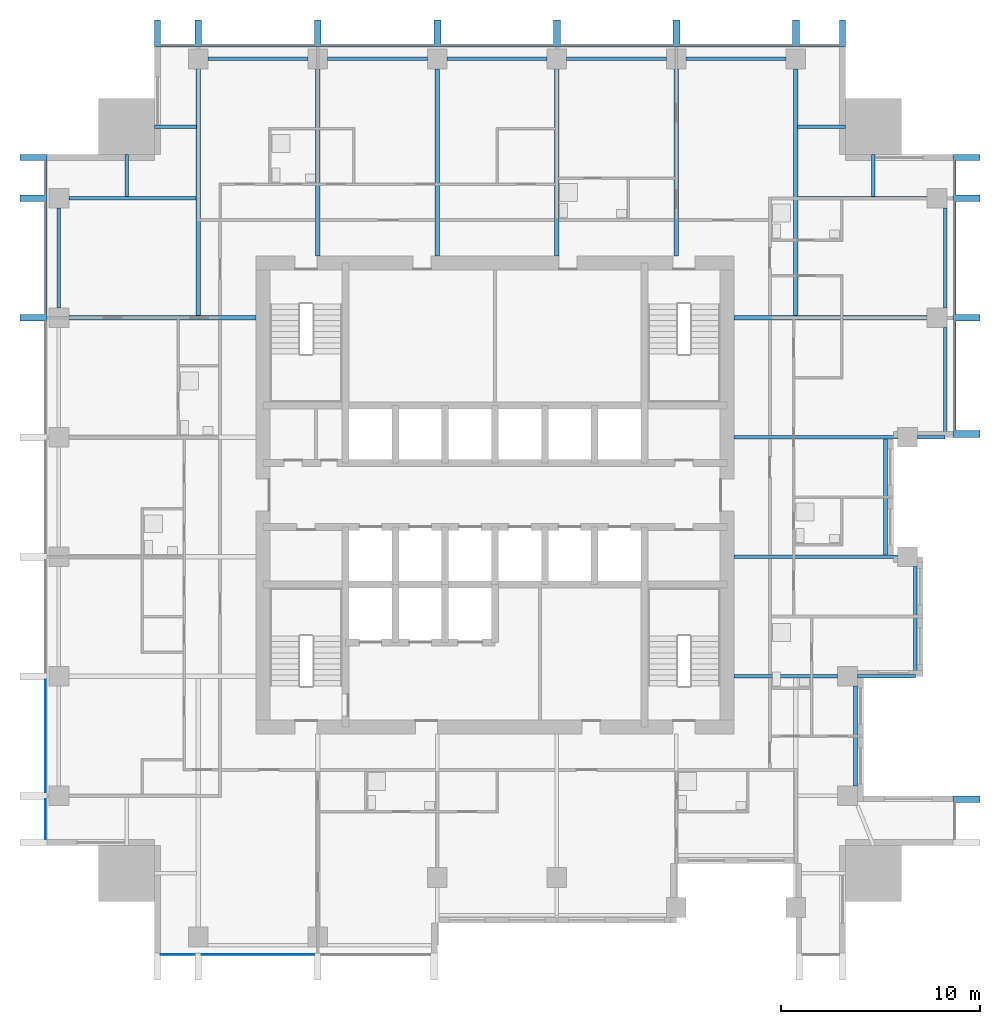
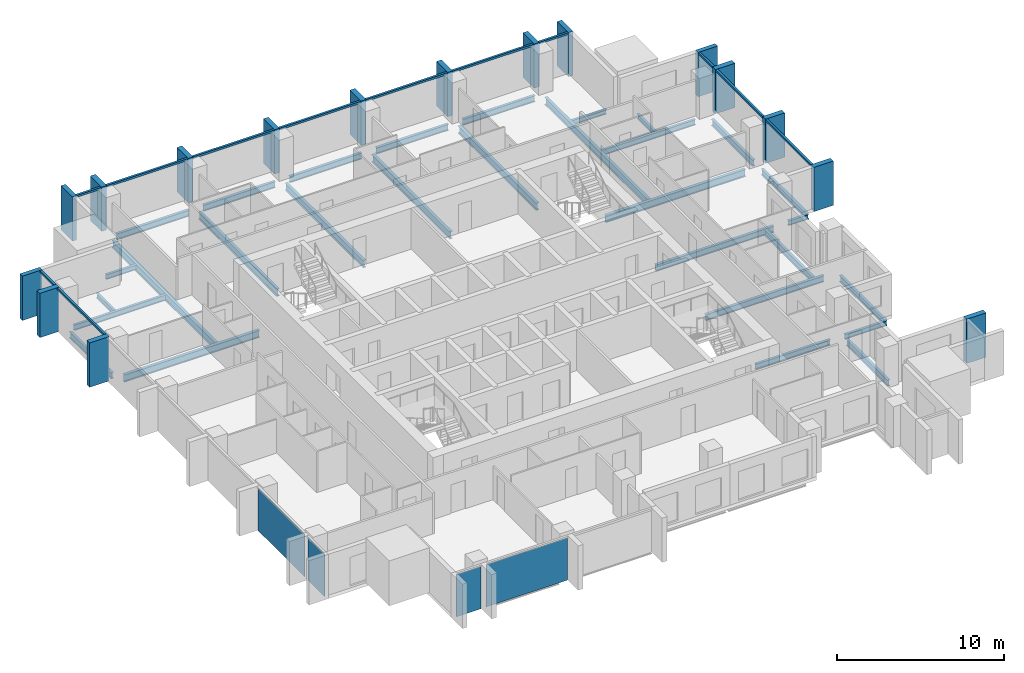
# One storey, part 2 of 10: 30 beams, 28 members, 4 plates, 5 elements without a shape of their own.
"""IFC4 building model written with IfcOpenShell, lengths in metres."""

from ifc_helpers import new_model, si_unit, direction, frame, origin, origin_2d, place, context, subcontext, project, spatial, rectangle, i_section, extrude, material, layer, layer_set, material_profile, profile_set, type_object, element, aggregate, save


model = new_model("IFC4")

# Units and contexts
model_context = context("Model", 3, precision=1e-05, world=origin(), true_north=direction((0.0, 1.0)))
body_context = subcontext(model_context, "Body", "Model", "MODEL_VIEW")
ifc_project = project(units=[si_unit("LENGTHUNIT", "METRE"), si_unit("AREAUNIT", "SQUARE_METRE"), si_unit("VOLUMEUNIT", "CUBIC_METRE"), si_unit("PLANEANGLEUNIT", "RADIAN"), si_unit("MASSUNIT", "GRAM", prefix="KILO")], contexts=[model_context])

# Site, building, storey
site_placement = place(None, origin())
site = spatial("IfcSite", under=ifc_project, at=site_placement, CompositionType="ELEMENT")
building_placement = place(site_placement, origin())
building = spatial("IfcBuilding", under=site, at=building_placement, Name="Amberfall Residences", CompositionType="ELEMENT")
storey_placement = place(building_placement, frame((0.0, 0.0, 147.10009765625)))
storey = spatial("IfcBuildingStorey", under=building, at=storey_placement, Name="L39", CompositionType="ELEMENT", Elevation=147.10009765625)

# Curtain wall, members
ifc_material_1 = material(Name="Bronze anodised aluminium and glass", Category="aluminium")
curtain_wall_type = type_object("IfcCurtainWallType", Name="Curtain wall CW1 tower unit", PredefinedType="USERDEFINED", material=ifc_material_1)
curtain_wall_1_placement = place(storey_placement, origin())
curtain_wall_1 = element("IfcCurtainWall", 1, at=curtain_wall_1_placement, inside=storey, type_object=curtain_wall_type, Name="Curtain wall L39 E E9", ObjectType="UNITISED CURTAIN WALL", PredefinedType="USERDEFINED")
ifc_material_2 = material(Name="Bronze anodised aluminium", Category="aluminium")
ifc_material_profile_1 = material_profile(ifc_material_2, rectangle(XDim=0.14990234375, YDim=0.14990234375, at=origin_2d()), Name="CW1 transom 150 x 150 bronze")
ifc_profile_set_1 = profile_set([ifc_material_profile_1], Name="Bronze anodised aluminium")
member_type_1 = type_object("IfcMemberType", Name="CW1 transom 150 x 150 bronze", PredefinedType="USERDEFINED", material=ifc_profile_set_1)
member_1_placement = place(storey_placement, frame((97.574951171875, 48.75, 2.9248046875), z_axis=(0.0, 1.0, 0.0), x_axis=(-1.0, 0.0, 0.0)))
member_1 = element("IfcMember", 2, at=member_1_placement, type_object=member_type_1, Name="CW1 transom 1.1", ObjectType="TRANSOM", PredefinedType="USERDEFINED", context=body_context, shape_type="SweptSolid", body=[
    extrude(rectangle(XDim=0.14990234375, YDim=0.14990234375, at=origin_2d()), origin(), (0.0, 0.0, 1.0), 5.47509765625),
])
member_2_placement = place(storey_placement, frame((97.574951171875, 54.574951171875, 2.9248046875), z_axis=(0.0, 1.0, 0.0), x_axis=(-1.0, 0.0, 0.0)))
member_2 = element("IfcMember", 3, at=member_2_placement, type_object=member_type_1, Name="CW1 transom 2.1", ObjectType="TRANSOM", PredefinedType="USERDEFINED", context=body_context, shape_type="SweptSolid", body=[
    extrude(rectangle(XDim=0.14990234375, YDim=0.14990234375, at=origin_2d()), origin(), (0.0, 0.0, 1.0), 5.650146484375),
])
member_3_placement = place(storey_placement, frame((97.574951171875, 60.574951171875, 2.9248046875), z_axis=(0.0, 1.0, 0.0), x_axis=(-1.0, 0.0, 0.0)))
member_3 = element("IfcMember", 4, at=member_3_placement, type_object=member_type_1, Name="CW1 transom 3.1", ObjectType="TRANSOM", PredefinedType="USERDEFINED", context=body_context, shape_type="SweptSolid", body=[
    extrude(rectangle(XDim=0.14990234375, YDim=0.14990234375, at=origin_2d()), origin(), (0.0, 0.0, 1.0), 1.72509765625),
])

curtain_wall_2_placement = place(storey_placement, origin())
curtain_wall_2 = element("IfcCurtainWall", 5, at=curtain_wall_2_placement, inside=storey, type_object=curtain_wall_type, Name="Curtain wall L39 N N1", ObjectType="UNITISED CURTAIN WALL", PredefinedType="USERDEFINED")
member_4_placement = place(storey_placement, frame((91.800048828125, 68.074951171875, 2.9248046875), z_axis=(-1.0, 0.0, 0.0), x_axis=(0.0, -1.0, 0.0)))
member_4 = element("IfcMember", 6, at=member_4_placement, type_object=member_type_1, Name="CW1 transom 1.1", ObjectType="TRANSOM", PredefinedType="USERDEFINED", context=body_context, shape_type="SweptSolid", body=[
    extrude(rectangle(XDim=0.14990234375, YDim=0.14990234375, at=origin_2d()), origin(), (0.0, 0.0, 1.0), 2.025146484375),
])
member_5_placement = place(storey_placement, frame((89.425048828125, 68.074951171875, 2.9248046875), z_axis=(-1.0, 0.0, 0.0), x_axis=(0.0, -1.0, 0.0)))
member_5 = element("IfcMember", 7, at=member_5_placement, type_object=member_type_1, Name="CW1 transom 2.1", ObjectType="TRANSOM", PredefinedType="USERDEFINED", context=body_context, shape_type="SweptSolid", body=[
    extrude(rectangle(XDim=0.14990234375, YDim=0.14990234375, at=origin_2d()), origin(), (0.0, 0.0, 1.0), 5.650146484375),
])
member_6_placement = place(storey_placement, frame((83.425048828125, 68.074951171875, 2.9248046875), z_axis=(-1.0, 0.0, 0.0), x_axis=(0.0, -1.0, 0.0)))
member_6 = element("IfcMember", 8, at=member_6_placement, type_object=member_type_1, Name="CW1 transom 3.1", ObjectType="TRANSOM", PredefinedType="USERDEFINED", context=body_context, shape_type="SweptSolid", body=[
    extrude(rectangle(XDim=0.14990234375, YDim=0.14990234375, at=origin_2d()), origin(), (0.0, 0.0, 1.0), 5.650146484375),
])
member_7_placement = place(storey_placement, frame((77.425048828125, 68.074951171875, 2.9248046875), z_axis=(-1.0, 0.0, 0.0), x_axis=(0.0, -1.0, 0.0)))
member_7 = element("IfcMember", 9, at=member_7_placement, type_object=member_type_1, Name="CW1 transom 4.1", ObjectType="TRANSOM", PredefinedType="USERDEFINED", context=body_context, shape_type="SweptSolid", body=[
    extrude(rectangle(XDim=0.14990234375, YDim=0.14990234375, at=origin_2d()), origin(), (0.0, 0.0, 1.0), 5.650146484375),
])
member_8_placement = place(storey_placement, frame((71.425048828125, 68.074951171875, 2.9248046875), z_axis=(-1.0, 0.0, 0.0), x_axis=(0.0, -1.0, 0.0)))
member_8 = element("IfcMember", 10, at=member_8_placement, type_object=member_type_1, Name="CW1 transom 5.1", ObjectType="TRANSOM", PredefinedType="USERDEFINED", context=body_context, shape_type="SweptSolid", body=[
    extrude(rectangle(XDim=0.14990234375, YDim=0.14990234375, at=origin_2d()), origin(), (0.0, 0.0, 1.0), 5.650146484375),
])
member_9_placement = place(storey_placement, frame((65.425048828125, 68.074951171875, 2.9248046875), z_axis=(-1.0, 0.0, 0.0), x_axis=(0.0, -1.0, 0.0)))
member_9 = element("IfcMember", 11, at=member_9_placement, type_object=member_type_1, Name="CW1 transom 6.1", ObjectType="TRANSOM", PredefinedType="USERDEFINED", context=body_context, shape_type="SweptSolid", body=[
    extrude(rectangle(XDim=0.14990234375, YDim=0.14990234375, at=origin_2d()), origin(), (0.0, 0.0, 1.0), 5.650146484375),
])
member_10_placement = place(storey_placement, frame((59.425048828125, 68.074951171875, 2.9248046875), z_axis=(-1.0, 0.0, 0.0), x_axis=(0.0, -1.0, 0.0)))
member_10 = element("IfcMember", 12, at=member_10_placement, type_object=member_type_1, Name="CW1 transom 7.1", ObjectType="TRANSOM", PredefinedType="USERDEFINED", context=body_context, shape_type="SweptSolid", body=[
    extrude(rectangle(XDim=0.14990234375, YDim=0.14990234375, at=origin_2d()), origin(), (0.0, 0.0, 1.0), 1.72509765625),
])

curtain_wall_3_placement = place(storey_placement, origin())
curtain_wall_3 = element("IfcCurtainWall", 13, at=curtain_wall_3_placement, inside=storey, type_object=curtain_wall_type, Name="Curtain wall L39 W W1", ObjectType="UNITISED CURTAIN WALL", PredefinedType="USERDEFINED")
member_11_placement = place(storey_placement, frame((51.925048828125, 62.300048828125, 2.9248046875), z_axis=(0.0, -1.0, 0.0), x_axis=(1.0, 0.0, 0.0)))
member_11 = element("IfcMember", 14, at=member_11_placement, type_object=member_type_1, Name="CW1 transom 1.1", ObjectType="TRANSOM", PredefinedType="USERDEFINED", context=body_context, shape_type="SweptSolid", body=[
    extrude(rectangle(XDim=0.14990234375, YDim=0.14990234375, at=origin_2d()), origin(), (0.0, 0.0, 1.0), 1.72509765625),
])
member_12_placement = place(storey_placement, frame((51.925048828125, 60.22509765625, 2.9248046875), z_axis=(0.0, -1.0, 0.0), x_axis=(1.0, 0.0, 0.0)))
member_12 = element("IfcMember", 15, at=member_12_placement, type_object=member_type_1, Name="CW1 transom 2.1", ObjectType="TRANSOM", PredefinedType="USERDEFINED", context=body_context, shape_type="SweptSolid", body=[
    extrude(rectangle(XDim=0.14990234375, YDim=0.14990234375, at=origin_2d()), origin(), (0.0, 0.0, 1.0), 5.650146484375),
])

# Beams
ifc_material_3 = material(Name="Steel S355", Category="steel")
ifc_material_profile_2 = material_profile(ifc_material_3, i_section(OverallWidth=0.171142578125, OverallDepth=0.351318359375, WebThickness=0.007080078125, FlangeThickness=0.009765625, FilletRadius=0.01025390625, at=origin_2d()), Name="UB 356x171x45")
ifc_profile_set_2 = profile_set([ifc_material_profile_2], Name="Steel S355")
beam_type_1 = type_object("IfcBeamType", Name="Cantilever girder UB 356x171x45", PredefinedType="BEAM", material=ifc_profile_set_2)
beam_1_placement = place(storey_placement, frame((92.699951171875, 36.39990234375, -0.42578125), z_axis=(1.0, 0.0, 0.0), x_axis=(0.0, 1.0, 0.0)))
element("IfcBeam", 16, at=beam_1_placement, inside=storey, type_object=beam_type_1, Name="Cantilever girder B8 L39 19", PredefinedType="BEAM", context=body_context, shape_type="SweptSolid", body=[
    extrude(i_section(OverallWidth=0.171142578125, OverallDepth=0.351318359375, WebThickness=0.007080078125, FlangeThickness=0.009765625, FilletRadius=0.01025390625, at=origin_2d()), origin(), (0.0, 0.0, 1.0), 2.900146484375),
])
beam_2_placement = place(storey_placement, frame((95.699951171875, 48.39990234375, -0.42578125), z_axis=(1.0, 0.0, 0.0), x_axis=(0.0, 1.0, 0.0)))
element("IfcBeam", 17, at=beam_2_placement, inside=storey, type_object=beam_type_1, Name="Cantilever girder B8 L39 20", PredefinedType="BEAM", context=body_context, shape_type="SweptSolid", body=[
    extrude(i_section(OverallWidth=0.171142578125, OverallDepth=0.351318359375, WebThickness=0.007080078125, FlangeThickness=0.009765625, FilletRadius=0.01025390625, at=origin_2d()), origin(), (0.0, 0.0, 1.0), 1.400146484375),
])

# Member
ifc_material_profile_3 = material_profile(ifc_material_2, rectangle(XDim=1.35009765625, YDim=0.300048828125, at=origin_2d()), Name="Corner fin 300 x 1350 bronze")
ifc_profile_set_3 = profile_set([ifc_material_profile_3], Name="Bronze anodised aluminium")
member_type_2 = type_object("IfcMemberType", Name="Corner fin 300 x 1350 bronze", PredefinedType="MULLION", material=ifc_profile_set_3)
member_13_placement = place(storey_placement, frame((98.175048828125, 62.449951171875, -0.25), z_axis=(0.0, 0.0, 1.0), x_axis=(-1.0, 0.0, 0.0)))
member_13 = element("IfcMember", 18, at=member_13_placement, type_object=member_type_2, Name="CW FIN 4", PredefinedType="MULLION", context=body_context, shape_type="SweptSolid", body=[
    extrude(rectangle(XDim=1.35009765625, YDim=0.300048828125, at=origin_2d()), origin(), (0.0, 0.0, 1.0), 3.25),
])

member_14_placement = place(storey_placement, frame((91.949951171875, 68.675048828125, -0.25), z_axis=(0.0, 0.0, 1.0), x_axis=(0.0, -1.0, 0.0)))
member_14 = element("IfcMember", 19, at=member_14_placement, type_object=member_type_2, Name="CW FIN 1", PredefinedType="MULLION", context=body_context, shape_type="SweptSolid", body=[
    extrude(rectangle(XDim=1.35009765625, YDim=0.300048828125, at=origin_2d()), origin(), (0.0, 0.0, 1.0), 3.25),
])

member_15_placement = place(storey_placement, frame((57.550048828125, 68.675048828125, -0.25), z_axis=(0.0, 0.0, 1.0), x_axis=(0.0, -1.0, 0.0)))
member_15 = element("IfcMember", 20, at=member_15_placement, type_object=member_type_2, Name="CW FIN 8", PredefinedType="MULLION", context=body_context, shape_type="SweptSolid", body=[
    extrude(rectangle(XDim=1.35009765625, YDim=0.300048828125, at=origin_2d()), origin(), (0.0, 0.0, 1.0), 3.25),
])

member_16_placement = place(storey_placement, frame((51.324951171875, 62.449951171875, -0.25), z_axis=(0.0, 0.0, 1.0), x_axis=(1.0, 0.0, 0.0)))
member_16 = element("IfcMember", 21, at=member_16_placement, type_object=member_type_2, Name="CW FIN 1", PredefinedType="MULLION", context=body_context, shape_type="SweptSolid", body=[
    extrude(rectangle(XDim=1.35009765625, YDim=0.300048828125, at=origin_2d()), origin(), (0.0, 0.0, 1.0), 3.25),
])

# Beams
ifc_material_profile_4 = material_profile(ifc_material_3, i_section(OverallWidth=0.18994140625, OverallDepth=0.453369140625, WebThickness=0.008544921875, FlangeThickness=0.0126953125, FilletRadius=0.01025390625, at=origin_2d()), Name="UB 457x191x67")
ifc_profile_set_4 = profile_set([ifc_material_profile_4], Name="Steel S355")
beam_type_2 = type_object("IfcBeamType", Name="Edge beam UB 457x191x67", PredefinedType="SPANDREL", material=ifc_profile_set_4)
beam_3_placement = place(storey_placement, frame((92.60009765625, 30.89990234375, -0.476806640625), z_axis=(0.0, 1.0, 0.0), x_axis=(-1.0, 0.0, 0.0)))
element("IfcBeam", 22, at=beam_3_placement, inside=storey, type_object=beam_type_2, Name="Edge beam B1 L39 14", PredefinedType="SPANDREL", context=body_context, shape_type="SweptSolid", body=[
    extrude(i_section(OverallWidth=0.18994140625, OverallDepth=0.453369140625, WebThickness=0.008544921875, FlangeThickness=0.0126953125, FilletRadius=0.01025390625, at=origin_2d()), origin(), (0.0, 0.0, 1.0), 5.0),
])
beam_4_placement = place(storey_placement, frame((95.60009765625, 36.47998046875, -0.476806640625), z_axis=(0.0, 1.0, 0.0), x_axis=(-1.0, 0.0, 0.0)))
element("IfcBeam", 23, at=beam_4_placement, inside=storey, type_object=beam_type_2, Name="Edge beam B1 L39 15", PredefinedType="SPANDREL", context=body_context, shape_type="SweptSolid", body=[
    extrude(i_section(OverallWidth=0.18994140625, OverallDepth=0.453369140625, WebThickness=0.008544921875, FlangeThickness=0.0126953125, FilletRadius=0.01025390625, at=origin_2d()), origin(), (0.0, 0.0, 1.0), 5.419921875),
])
beam_5_placement = place(storey_placement, frame((94.10009765625, 42.47998046875, -0.476806640625), z_axis=(0.0, 1.0, 0.0), x_axis=(-1.0, 0.0, 0.0)))
element("IfcBeam", 24, at=beam_5_placement, inside=storey, type_object=beam_type_2, Name="Edge beam B1 L39 16", PredefinedType="SPANDREL", context=body_context, shape_type="SweptSolid", body=[
    extrude(i_section(OverallWidth=0.18994140625, OverallDepth=0.453369140625, WebThickness=0.008544921875, FlangeThickness=0.0126953125, FilletRadius=0.01025390625, at=origin_2d()), origin(), (0.0, 0.0, 1.0), 5.840087890625),
])
beam_6_placement = place(storey_placement, frame((97.10009765625, 48.47998046875, -0.476806640625), z_axis=(0.0, 1.0, 0.0), x_axis=(-1.0, 0.0, 0.0)))
element("IfcBeam", 25, at=beam_6_placement, inside=storey, type_object=beam_type_2, Name="Edge beam B1 L39 17", PredefinedType="SPANDREL", context=body_context, shape_type="SweptSolid", body=[
    extrude(i_section(OverallWidth=0.18994140625, OverallDepth=0.453369140625, WebThickness=0.008544921875, FlangeThickness=0.0126953125, FilletRadius=0.01025390625, at=origin_2d()), origin(), (0.0, 0.0, 1.0), 5.419921875),
])
for number, where, z_axis, x_axis, name in (
    (26, (97.10009765625, 54.89990234375, -0.476806640625), (0.0, 1.0, 0.0), (-1.0, 0.0, 0.0), "Edge beam B1 L39 18"),
    (27, (60.10009765625, 67.39990234375, -0.476806640625), (1.0, 0.0, 0.0), (0.0, 1.0, 0.0), "Edge beam B1 L39 27"),
    (28, (66.10009765625, 67.39990234375, -0.476806640625), (1.0, 0.0, 0.0), (0.0, 1.0, 0.0), "Edge beam B1 L39 28"),
    (29, (72.10009765625, 67.39990234375, -0.476806640625), (1.0, 0.0, 0.0), (0.0, 1.0, 0.0), "Edge beam B1 L39 29"),
    (30, (78.10009765625, 67.39990234375, -0.476806640625), (1.0, 0.0, 0.0), (0.0, 1.0, 0.0), "Edge beam B1 L39 30"),
    (31, (84.10009765625, 67.39990234375, -0.476806640625), (1.0, 0.0, 0.0), (0.0, 1.0, 0.0), "Edge beam B1 L39 31"),
    (32, (52.60009765625, 54.89990234375, -0.476806640625), (0.0, 1.0, 0.0), (-1.0, 0.0, 0.0), "Edge beam B1 L39 42"),
):
    element("IfcBeam", number, at=place(storey_placement, frame(where, z_axis=z_axis, x_axis=x_axis)), inside=storey, type_object=beam_type_2, Name=name, PredefinedType="SPANDREL", context=body_context, shape_type="SweptSolid", body=[
        extrude(i_section(OverallWidth=0.18994140625, OverallDepth=0.453369140625, WebThickness=0.008544921875, FlangeThickness=0.0126953125, FilletRadius=0.01025390625, at=origin_2d()), origin(), (0.0, 0.0, 1.0), 5.0),
    ])

# Curtain wall, member
curtain_wall_4_placement = place(storey_placement, origin())
curtain_wall_4 = element("IfcCurtainWall", 33, at=curtain_wall_4_placement, inside=storey, type_object=curtain_wall_type, Name="Curtain wall L39 E E1", ObjectType="UNITISED CURTAIN WALL", PredefinedType="USERDEFINED")
ifc_material_profile_5 = material_profile(ifc_material_2, rectangle(XDim=1.35009765625, YDim=0.35009765625, at=origin_2d()), Name="Fin 350 x 1350 bronze")
ifc_profile_set_5 = profile_set([ifc_material_profile_5], Name="Bronze anodised aluminium")
member_type_3 = type_object("IfcMemberType", Name="Fin 350 x 1350 bronze", PredefinedType="MULLION", material=ifc_profile_set_5)
member_17_placement = place(storey_placement, frame((98.175048828125, 30.22509765625, -0.25), z_axis=(0.0, 0.0, 1.0), x_axis=(-1.0, 0.0, 0.0)))
member_17 = element("IfcMember", 34, at=member_17_placement, type_object=member_type_3, Name="CW FIN 2", PredefinedType="MULLION", context=body_context, shape_type="SweptSolid", body=[
    extrude(rectangle(XDim=1.35009765625, YDim=0.35009765625, at=origin_2d()), origin(), (0.0, 0.0, 1.0), 3.25),
])
aggregate(curtain_wall_4, [member_17])

# Member
member_18_placement = place(storey_placement, frame((98.175048828125, 48.574951171875, -0.25), z_axis=(0.0, 0.0, 1.0), x_axis=(-1.0, 0.0, 0.0)))
member_18 = element("IfcMember", 35, at=member_18_placement, type_object=member_type_3, Name="CW FIN 1", PredefinedType="MULLION", context=body_context, shape_type="SweptSolid", body=[
    extrude(rectangle(XDim=1.35009765625, YDim=0.35009765625, at=origin_2d()), origin(), (0.0, 0.0, 1.0), 3.25),
])

member_19_placement = place(storey_placement, frame((98.175048828125, 54.39990234375, -0.25), z_axis=(0.0, 0.0, 1.0), x_axis=(-1.0, 0.0, 0.0)))
member_19 = element("IfcMember", 36, at=member_19_placement, type_object=member_type_3, Name="CW FIN 2", PredefinedType="MULLION", context=body_context, shape_type="SweptSolid", body=[
    extrude(rectangle(XDim=1.35009765625, YDim=0.35009765625, at=origin_2d()), origin(), (0.0, 0.0, 1.0), 3.25),
])

member_20_placement = place(storey_placement, frame((98.175048828125, 60.39990234375, -0.25), z_axis=(0.0, 0.0, 1.0), x_axis=(-1.0, 0.0, 0.0)))
member_20 = element("IfcMember", 37, at=member_20_placement, type_object=member_type_3, Name="CW FIN 3", PredefinedType="MULLION", context=body_context, shape_type="SweptSolid", body=[
    extrude(rectangle(XDim=1.35009765625, YDim=0.35009765625, at=origin_2d()), origin(), (0.0, 0.0, 1.0), 3.25),
])

aggregate(curtain_wall_1, [member_18, member_19, member_20, member_13, member_1, member_2, member_3])

member_21_placement = place(storey_placement, frame((89.60009765625, 68.675048828125, -0.25), z_axis=(0.0, 0.0, 1.0), x_axis=(0.0, -1.0, 0.0)))
member_21 = element("IfcMember", 38, at=member_21_placement, type_object=member_type_3, Name="CW FIN 2", PredefinedType="MULLION", context=body_context, shape_type="SweptSolid", body=[
    extrude(rectangle(XDim=1.35009765625, YDim=0.35009765625, at=origin_2d()), origin(), (0.0, 0.0, 1.0), 3.25),
])

member_22_placement = place(storey_placement, frame((83.60009765625, 68.675048828125, -0.25), z_axis=(0.0, 0.0, 1.0), x_axis=(0.0, -1.0, 0.0)))
member_22 = element("IfcMember", 39, at=member_22_placement, type_object=member_type_3, Name="CW FIN 3", PredefinedType="MULLION", context=body_context, shape_type="SweptSolid", body=[
    extrude(rectangle(XDim=1.35009765625, YDim=0.35009765625, at=origin_2d()), origin(), (0.0, 0.0, 1.0), 3.25),
])

member_23_placement = place(storey_placement, frame((77.60009765625, 68.675048828125, -0.25), z_axis=(0.0, 0.0, 1.0), x_axis=(0.0, -1.0, 0.0)))
member_23 = element("IfcMember", 40, at=member_23_placement, type_object=member_type_3, Name="CW FIN 4", PredefinedType="MULLION", context=body_context, shape_type="SweptSolid", body=[
    extrude(rectangle(XDim=1.35009765625, YDim=0.35009765625, at=origin_2d()), origin(), (0.0, 0.0, 1.0), 3.25),
])

member_24_placement = place(storey_placement, frame((71.60009765625, 68.675048828125, -0.25), z_axis=(0.0, 0.0, 1.0), x_axis=(0.0, -1.0, 0.0)))
member_24 = element("IfcMember", 41, at=member_24_placement, type_object=member_type_3, Name="CW FIN 5", PredefinedType="MULLION", context=body_context, shape_type="SweptSolid", body=[
    extrude(rectangle(XDim=1.35009765625, YDim=0.35009765625, at=origin_2d()), origin(), (0.0, 0.0, 1.0), 3.25),
])

member_25_placement = place(storey_placement, frame((65.60009765625, 68.675048828125, -0.25), z_axis=(0.0, 0.0, 1.0), x_axis=(0.0, -1.0, 0.0)))
member_25 = element("IfcMember", 42, at=member_25_placement, type_object=member_type_3, Name="CW FIN 6", PredefinedType="MULLION", context=body_context, shape_type="SweptSolid", body=[
    extrude(rectangle(XDim=1.35009765625, YDim=0.35009765625, at=origin_2d()), origin(), (0.0, 0.0, 1.0), 3.25),
])

member_26_placement = place(storey_placement, frame((59.60009765625, 68.675048828125, -0.25), z_axis=(0.0, 0.0, 1.0), x_axis=(0.0, -1.0, 0.0)))
member_26 = element("IfcMember", 43, at=member_26_placement, type_object=member_type_3, Name="CW FIN 7", PredefinedType="MULLION", context=body_context, shape_type="SweptSolid", body=[
    extrude(rectangle(XDim=1.35009765625, YDim=0.35009765625, at=origin_2d()), origin(), (0.0, 0.0, 1.0), 3.25),
])

aggregate(curtain_wall_2, [member_14, member_21, member_22, member_23, member_24, member_25, member_26, member_15, member_4, member_5, member_6, member_7, member_8, member_9, member_10])

member_27_placement = place(storey_placement, frame((51.324951171875, 60.39990234375, -0.25), z_axis=(0.0, 0.0, 1.0), x_axis=(1.0, 0.0, 0.0)))
member_27 = element("IfcMember", 44, at=member_27_placement, type_object=member_type_3, Name="CW FIN 2", PredefinedType="MULLION", context=body_context, shape_type="SweptSolid", body=[
    extrude(rectangle(XDim=1.35009765625, YDim=0.35009765625, at=origin_2d()), origin(), (0.0, 0.0, 1.0), 3.25),
])

member_28_placement = place(storey_placement, frame((51.324951171875, 54.39990234375, -0.25), z_axis=(0.0, 0.0, 1.0), x_axis=(1.0, 0.0, 0.0)))
member_28 = element("IfcMember", 45, at=member_28_placement, type_object=member_type_3, Name="CW FIN 3", PredefinedType="MULLION", context=body_context, shape_type="SweptSolid", body=[
    extrude(rectangle(XDim=1.35009765625, YDim=0.35009765625, at=origin_2d()), origin(), (0.0, 0.0, 1.0), 3.25),
])

# Beams
ifc_material_profile_6 = material_profile(ifc_material_3, i_section(OverallWidth=0.177734375, OverallDepth=0.402587890625, WebThickness=0.0078125, FlangeThickness=0.010986328125, FilletRadius=0.01025390625, at=origin_2d()), Name="UB 406x178x54")
ifc_profile_set_6 = profile_set([ifc_material_profile_6], Name="Steel S355")
beam_type_3 = type_object("IfcBeamType", Name="Floor girder UB 406x178x54", PredefinedType="BEAM", material=ifc_profile_set_6)
beam_7_placement = place(storey_placement, frame((91.699951171875, 36.39990234375, -0.451416015625), z_axis=(-1.0, 0.0, 0.0), x_axis=(0.0, -1.0, 0.0)))
element("IfcBeam", 46, at=beam_7_placement, inside=storey, type_object=beam_type_3, Name="Floor girder B4 L39 22", PredefinedType="BEAM", context=body_context, shape_type="SweptSolid", body=[
    extrude(i_section(OverallWidth=0.177734375, OverallDepth=0.402587890625, WebThickness=0.0078125, FlangeThickness=0.010986328125, FilletRadius=0.01025390625, at=origin_2d()), origin(), (0.0, 0.0, 1.0), 5.199951171875),
])
beam_8_placement = place(storey_placement, frame((96.199951171875, 60.39990234375, -0.451416015625), z_axis=(-1.0, 0.0, 0.0), x_axis=(0.0, -1.0, 0.0)))
element("IfcBeam", 47, at=beam_8_placement, inside=storey, type_object=beam_type_3, Name="Floor girder B4 L39 26", PredefinedType="BEAM", context=body_context, shape_type="SweptSolid", body=[
    extrude(i_section(OverallWidth=0.177734375, OverallDepth=0.402587890625, WebThickness=0.0078125, FlangeThickness=0.010986328125, FilletRadius=0.01025390625, at=origin_2d()), origin(), (0.0, 0.0, 1.0), 6.47998046875),
])
beam_9_placement = place(storey_placement, frame((53.10009765625, 60.39990234375, -0.451416015625), z_axis=(1.0, 0.0, 0.0), x_axis=(0.0, 1.0, 0.0)))
element("IfcBeam", 48, at=beam_9_placement, inside=storey, type_object=beam_type_3, Name="Floor girder B4 L39 48", PredefinedType="BEAM", context=body_context, shape_type="SweptSolid", body=[
    extrude(i_section(OverallWidth=0.177734375, OverallDepth=0.402587890625, WebThickness=0.0078125, FlangeThickness=0.010986328125, FilletRadius=0.01025390625, at=origin_2d()), origin(), (0.0, 0.0, 1.0), 6.3798828125),
])
ifc_material_profile_7 = material_profile(ifc_material_3, i_section(OverallWidth=0.19140625, OverallDepth=0.4599609375, WebThickness=0.010009765625, FlangeThickness=0.01611328125, FilletRadius=0.01025390625, at=origin_2d()), Name="UB 457x191x82")
ifc_profile_set_7 = profile_set([ifc_material_profile_7], Name="Steel S355")
beam_type_4 = type_object("IfcBeamType", Name="Floor girder UB 457x191x82", PredefinedType="BEAM", material=ifc_profile_set_7)
for number, where, z_axis, x_axis, name in (
    (49, (94.699951171875, 42.39990234375, -0.47998046875), (-1.0, 0.0, 0.0), (0.0, -1.0, 0.0), "Floor girder B10 L39 23"),
    (50, (94.699951171875, 48.39990234375, -0.47998046875), (-1.0, 0.0, 0.0), (0.0, -1.0, 0.0), "Floor girder B10 L39 24"),
):
    element("IfcBeam", number, at=place(storey_placement, frame(where, z_axis=z_axis, x_axis=x_axis)), inside=storey, type_object=beam_type_4, Name=name, PredefinedType="BEAM", context=body_context, shape_type="SweptSolid", body=[
        extrude(i_section(OverallWidth=0.19140625, OverallDepth=0.4599609375, WebThickness=0.010009765625, FlangeThickness=0.01611328125, FilletRadius=0.01025390625, at=origin_2d()), origin(), (0.0, 0.0, 1.0), 8.199951171875),
    ])
ifc_material_profile_8 = material_profile(ifc_material_3, i_section(OverallWidth=0.210693359375, OverallDepth=0.53955078125, WebThickness=0.01171875, FlangeThickness=0.018798828125, FilletRadius=0.0126953125, at=origin_2d()), Name="UB 533x210x109")
ifc_profile_set_8 = profile_set([ifc_material_profile_8], Name="Steel S355")
beam_type_5 = type_object("IfcBeamType", Name="Floor girder UB 533x210x109", PredefinedType="BEAM", material=ifc_profile_set_8)
for number, where, z_axis, x_axis, name in (
    (51, (59.60009765625, 66.89990234375, -0.519775390625), (0.0, -1.0, 0.0), (1.0, 0.0, 0.0), "Floor girder B2 L39 32"),
    (52, (89.60009765625, 66.89990234375, -0.519775390625), (0.0, -1.0, 0.0), (1.0, 0.0, 0.0), "Floor girder B2 L39 37"),
):
    element("IfcBeam", number, at=place(storey_placement, frame(where, z_axis=z_axis, x_axis=x_axis)), inside=storey, type_object=beam_type_5, Name=name, PredefinedType="BEAM", context=body_context, shape_type="SweptSolid", body=[
        extrude(i_section(OverallWidth=0.210693359375, OverallDepth=0.53955078125, WebThickness=0.01171875, FlangeThickness=0.018798828125, FilletRadius=0.0126953125, at=origin_2d()), origin(), (0.0, 0.0, 1.0), 12.400390625),
    ])
ifc_material_profile_9 = material_profile(ifc_material_3, i_section(OverallWidth=0.209228515625, OverallDepth=0.533203125, WebThickness=0.010009765625, FlangeThickness=0.015625, FilletRadius=0.0126953125, at=origin_2d()), Name="UB 533x210x92")
ifc_profile_set_9 = profile_set([ifc_material_profile_9], Name="Steel S355")
beam_type_6 = type_object("IfcBeamType", Name="Floor girder UB 533x210x92", PredefinedType="BEAM", material=ifc_profile_set_9)
beam_10_placement = place(storey_placement, frame((96.199951171875, 54.39990234375, -0.5166015625), z_axis=(-1.0, 0.0, 0.0), x_axis=(0.0, -1.0, 0.0)))
element("IfcBeam", 53, at=beam_10_placement, inside=storey, type_object=beam_type_6, Name="Floor girder B3 L39 25", PredefinedType="BEAM", context=body_context, shape_type="SweptSolid", body=[
    extrude(i_section(OverallWidth=0.209228515625, OverallDepth=0.533203125, WebThickness=0.010009765625, FlangeThickness=0.015625, FilletRadius=0.0126953125, at=origin_2d()), origin(), (0.0, 0.0, 1.0), 9.699951171875),
])
for number, where, z_axis, x_axis, name in (
    (54, (65.60009765625, 66.89990234375, -0.5166015625), (0.0, -1.0, 0.0), (1.0, 0.0, 0.0), "Floor girder B3 L39 33"),
    (55, (71.60009765625, 66.89990234375, -0.5166015625), (0.0, -1.0, 0.0), (1.0, 0.0, 0.0), "Floor girder B3 L39 34"),
    (56, (77.60009765625, 66.89990234375, -0.5166015625), (0.0, -1.0, 0.0), (1.0, 0.0, 0.0), "Floor girder B3 L39 35"),
    (57, (83.60009765625, 66.89990234375, -0.5166015625), (0.0, -1.0, 0.0), (1.0, 0.0, 0.0), "Floor girder B3 L39 36"),
    (58, (53.10009765625, 54.39990234375, -0.5166015625), (1.0, 0.0, 0.0), (0.0, 1.0, 0.0), "Floor girder B3 L39 47"),
):
    element("IfcBeam", number, at=place(storey_placement, frame(where, z_axis=z_axis, x_axis=x_axis)), inside=storey, type_object=beam_type_6, Name=name, PredefinedType="BEAM", context=body_context, shape_type="SweptSolid", body=[
        extrude(i_section(OverallWidth=0.209228515625, OverallDepth=0.533203125, WebThickness=0.010009765625, FlangeThickness=0.015625, FilletRadius=0.0126953125, at=origin_2d()), origin(), (0.0, 0.0, 1.0), 9.39990234375),
    ])
ifc_material_profile_10 = material_profile(ifc_material_3, i_section(OverallWidth=0.171142578125, OverallDepth=0.351318359375, WebThickness=0.007080078125, FlangeThickness=0.009765625, FilletRadius=0.01025390625, at=origin_2d()), Name="UB 356x171x45")
ifc_profile_set_10 = profile_set([ifc_material_profile_10], Name="Steel S355")
beam_type_7 = type_object("IfcBeamType", Name="Link beam UB 356x171x45", PredefinedType="BEAM", material=ifc_profile_set_10)
beam_11_placement = place(storey_placement, frame((92.10009765625, 64.0, -0.42578125), z_axis=(-1.0, 0.0, 0.0), x_axis=(0.0, -1.0, 0.0)))
element("IfcBeam", 59, at=beam_11_placement, inside=storey, type_object=beam_type_7, Name="Link beam B7 L39 53", PredefinedType="BEAM", context=body_context, shape_type="SweptSolid", body=[
    extrude(i_section(OverallWidth=0.171142578125, OverallDepth=0.351318359375, WebThickness=0.007080078125, FlangeThickness=0.009765625, FilletRadius=0.01025390625, at=origin_2d()), origin(), (0.0, 0.0, 1.0), 2.40478515625),
])
beam_12_placement = place(storey_placement, frame((93.5, 62.60009765625, -0.42578125), z_axis=(0.0, -1.0, 0.0), x_axis=(1.0, 0.0, 0.0)))
element("IfcBeam", 60, at=beam_12_placement, inside=storey, type_object=beam_type_7, Name="Link beam B7 L39 54", PredefinedType="BEAM", context=body_context, shape_type="SweptSolid", body=[
    extrude(i_section(OverallWidth=0.171142578125, OverallDepth=0.351318359375, WebThickness=0.007080078125, FlangeThickness=0.009765625, FilletRadius=0.01025390625, at=origin_2d()), origin(), (0.0, 0.0, 1.0), 2.12109375),
])
beam_13_placement = place(storey_placement, frame((57.39990234375, 64.0, -0.42578125), z_axis=(1.0, 0.0, 0.0), x_axis=(0.0, 1.0, 0.0)))
element("IfcBeam", 61, at=beam_13_placement, inside=storey, type_object=beam_type_7, Name="Link beam B7 L39 55", PredefinedType="BEAM", context=body_context, shape_type="SweptSolid", body=[
    extrude(i_section(OverallWidth=0.171142578125, OverallDepth=0.351318359375, WebThickness=0.007080078125, FlangeThickness=0.009765625, FilletRadius=0.01025390625, at=origin_2d()), origin(), (0.0, 0.0, 1.0), 2.104736328125),
])
beam_14_placement = place(storey_placement, frame((56.0, 62.60009765625, -0.42578125), z_axis=(0.0, -1.0, 0.0), x_axis=(1.0, 0.0, 0.0)))
element("IfcBeam", 62, at=beam_14_placement, inside=storey, type_object=beam_type_7, Name="Link beam B7 L39 56", PredefinedType="BEAM", context=body_context, shape_type="SweptSolid", body=[
    extrude(i_section(OverallWidth=0.171142578125, OverallDepth=0.351318359375, WebThickness=0.007080078125, FlangeThickness=0.009765625, FilletRadius=0.01025390625, at=origin_2d()), origin(), (0.0, 0.0, 1.0), 2.12109375),
])

# Curtain wall, plates
curtain_wall_5_placement = place(storey_placement, origin())
curtain_wall_5 = element("IfcCurtainWall", 63, at=curtain_wall_5_placement, inside=storey, type_object=curtain_wall_type, Name="Curtain wall L39 S S1", ObjectType="UNITISED CURTAIN WALL", PredefinedType="USERDEFINED")
ifc_material_4 = material(Name="Tinted double glazed unit", Category="glass")
ifc_layer = layer(ifc_material_4, 0.035888671875)
ifc_layer_set = layer_set([ifc_layer], Name="CW1 panel 36 glazing")
plate_type = type_object("IfcPlateType", Name="CW1 panel 36 glazing", PredefinedType="CURTAIN_PANEL", material=ifc_layer_set)
plate_1_placement = place(storey_placement, frame((58.5625, 22.425048828125, -0.250244140625), z_axis=(0.0, 0.0, 1.0), x_axis=(1.0, 0.0, 0.0)))
plate_1 = element("IfcPlate", 64, at=plate_1_placement, type_object=plate_type, Name="CW1 panel 1.1", PredefinedType="CURTAIN_PANEL", context=body_context, shape_type="SweptSolid", body=[
    extrude(rectangle(XDim=1.700927734375, YDim=0.035888671875, at=origin_2d()), origin(), (0.0, 0.0, 1.0), 3.10009765625),
])
plate_2_placement = place(storey_placement, frame((62.60009765625, 22.425048828125, -0.250244140625), z_axis=(0.0, 0.0, 1.0), x_axis=(1.0, 0.0, 0.0)))
plate_2 = element("IfcPlate", 65, at=plate_2_placement, type_object=plate_type, Name="CW1 panel 2.1", PredefinedType="CURTAIN_PANEL", context=body_context, shape_type="SweptSolid", body=[
    extrude(rectangle(XDim=5.6259765625, YDim=0.035888671875, at=origin_2d()), origin(), (0.0, 0.0, 1.0), 3.10009765625),
])
aggregate(curtain_wall_5, [plate_1, plate_2])

# Plate
plate_3_placement = place(storey_placement, frame((51.925048828125, 33.39990234375, -0.250244140625), z_axis=(0.0, 0.0, 1.0), x_axis=(0.0, -1.0, 0.0)))
plate_3 = element("IfcPlate", 66, at=plate_3_placement, type_object=plate_type, Name="CW1 panel 6.1", PredefinedType="CURTAIN_PANEL", context=body_context, shape_type="SweptSolid", body=[
    extrude(rectangle(XDim=5.6259765625, YDim=0.035888671875, at=origin_2d()), origin(), (0.0, 0.0, 1.0), 3.10009765625),
])

plate_4_placement = place(storey_placement, frame((51.925048828125, 29.21240234375, -0.250244140625), z_axis=(0.0, 0.0, 1.0), x_axis=(0.0, -1.0, 0.0)))
plate_4 = element("IfcPlate", 67, at=plate_4_placement, type_object=plate_type, Name="CW1 panel 7.1", PredefinedType="CURTAIN_PANEL", context=body_context, shape_type="SweptSolid", body=[
    extrude(rectangle(XDim=2.0009765625, YDim=0.035888671875, at=origin_2d()), origin(), (0.0, 0.0, 1.0), 3.10009765625),
])

aggregate(curtain_wall_3, [member_16, member_27, member_28, member_11, member_12, plate_3, plate_4])

save(model, "model.ifc")
